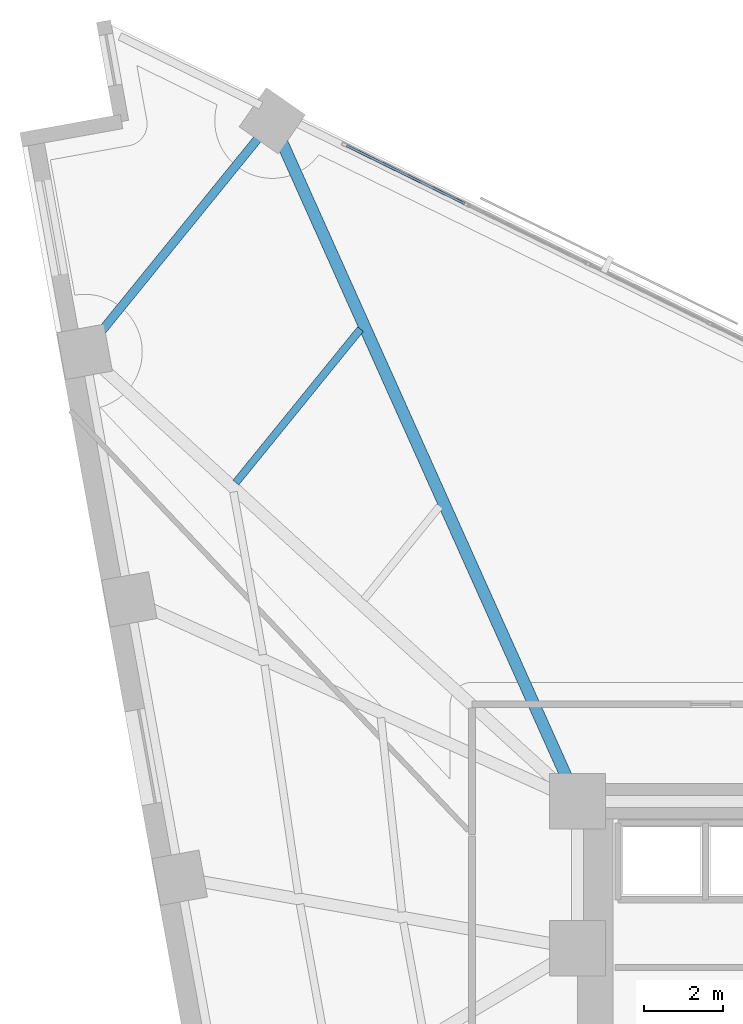
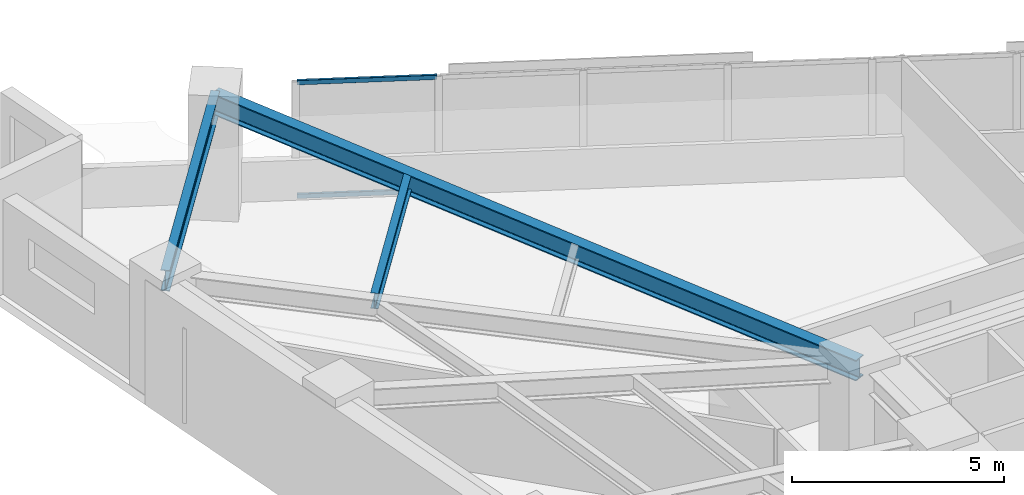
# One storey, part 9 of 19: 3 beams, 2 members, 1 element without a shape of its own.
"""IFC4 building model written with IfcOpenShell, lengths in metres."""

from ifc_helpers import new_model, si_unit, direction, frame, origin, origin_2d, place, context, subcontext, project, spatial, hollow_rectangle, i_section, extrude, material, material_profile, profile_set, type_object, element, aggregate, save


model = new_model("IFC4")

# Units and contexts
model_context = context("Model", 3, precision=1e-05, world=origin(), true_north=direction((0.0, 1.0)))
body_context = subcontext(model_context, "Body", "Model", "MODEL_VIEW")
ifc_project = project(units=[si_unit("LENGTHUNIT", "METRE"), si_unit("AREAUNIT", "SQUARE_METRE"), si_unit("VOLUMEUNIT", "CUBIC_METRE"), si_unit("PLANEANGLEUNIT", "RADIAN"), si_unit("MASSUNIT", "GRAM", prefix="KILO")], contexts=[model_context])

# Site, building, storey
site_placement = place(None, origin())
site = spatial("IfcSite", under=ifc_project, at=site_placement, CompositionType="ELEMENT")
building_placement = place(site_placement, origin())
building = spatial("IfcBuilding", under=site, at=building_placement, Name="Narakoshi Arena Tower", CompositionType="ELEMENT")
storey_placement = place(building_placement, frame((0.0, 0.0, 117.300048828125)))
storey = spatial("IfcBuildingStorey", under=building, at=storey_placement, Name="L31", CompositionType="ELEMENT", Elevation=117.300048828125)

# Beams
ifc_material_1 = material(Name="Structural steel S355J2", Category="steel")
ifc_material_profile_1 = material_profile(ifc_material_1, i_section(OverallWidth=0.219970703125, OverallDepth=0.60009765625, WebThickness=0.011962890625, FlangeThickness=0.01904296875, FilletRadius=0.02392578125, at=origin_2d()), Name="IPE600")
ifc_profile_set_1 = profile_set([ifc_material_profile_1], Name="Structural steel S355J2")
beam_type_1 = type_object("IfcBeamType", Name="BM-EDGE-600", PredefinedType="BEAM", material=ifc_profile_set_1)
beam_1_placement = place(storey_placement, frame((64.31787109375, 73.633056640625, 3.0400390625), z_axis=(-0.630427035182, -0.776248512598, 0.0), x_axis=(0.776248512598, -0.630427035182, 0.0)))
element("IfcBeam", 1, at=beam_1_placement, inside=storey, type_object=beam_type_1, Name="L31 Perimeter Edge Girder 09", PredefinedType="BEAM", context=body_context, shape_type="SweptSolid", body=[
    extrude(i_section(OverallWidth=0.219970703125, OverallDepth=0.60009765625, WebThickness=0.011962890625, FlangeThickness=0.01904296875, FilletRadius=0.02392578125, at=origin_2d()), origin(), (0.0, 0.0, 1.0), 7.493896484375),
])
ifc_material_profile_2 = material_profile(ifc_material_1, i_section(OverallWidth=0.300048828125, OverallDepth=0.60009765625, WebThickness=0.015380859375, FlangeThickness=0.030029296875, FilletRadius=0.027099609375, at=origin_2d()), Name="HE600B")
ifc_profile_set_2 = profile_set([ifc_material_profile_2], Name="Structural steel S355J2")
beam_type_2 = type_object("IfcBeamType", Name="BM-PRI-600", PredefinedType="BEAM", material=ifc_profile_set_2)
beam_2_placement = place(storey_placement, frame((72.0, 56.5, 3.0400390625), z_axis=(-0.409135423529, 0.91247367371, 0.0), x_axis=(-0.91247367371, -0.409135423529, 0.0)))
element("IfcBeam", 2, at=beam_2_placement, inside=storey, type_object=beam_type_2, Name="L31 Radial Primary Floor Girder 09", PredefinedType="BEAM", context=body_context, shape_type="SweptSolid", body=[
    extrude(i_section(OverallWidth=0.300048828125, OverallDepth=0.60009765625, WebThickness=0.015380859375, FlangeThickness=0.030029296875, FilletRadius=0.027099609375, at=origin_2d()), origin(), (0.0, 0.0, 1.0), 18.776611328125),
])
ifc_material_profile_3 = material_profile(ifc_material_1, i_section(OverallWidth=0.18994140625, OverallDepth=0.449951171875, WebThickness=0.009521484375, FlangeThickness=0.0146484375, FilletRadius=0.02099609375, at=origin_2d()), Name="IPE450")
ifc_profile_set_3 = profile_set([ifc_material_profile_3], Name="Structural steel S355J2")
beam_type_3 = type_object("IfcBeamType", Name="BM-SEC-450", PredefinedType="JOIST", material=ifc_profile_set_3)
beam_3_placement = place(storey_placement, frame((66.537353515625, 68.38818359375, 3.114990234375), z_axis=(-0.630422662324, -0.776252063977, 0.0), x_axis=(0.776252063977, -0.630422662324, 0.0)))
element("IfcBeam", 3, at=beam_3_placement, inside=storey, type_object=beam_type_3, Name="L31 Composite Secondary Floor Joist 10", PredefinedType="JOIST", context=body_context, shape_type="SweptSolid", body=[
    extrude(i_section(OverallWidth=0.18994140625, OverallDepth=0.449951171875, WebThickness=0.009521484375, FlangeThickness=0.0146484375, FilletRadius=0.02099609375, at=origin_2d()), origin(), (0.0, 0.0, 1.0), 4.9755859375),
])

# Curtain wall, members
ifc_material_2 = material(Name="Anodised bronze aluminium 6063-T6", Category="aluminium")
curtain_wall_type = type_object("IfcCurtainWallType", Name="CW-HYP-LOW", PredefinedType="NOTDEFINED", material=ifc_material_2)
curtain_wall_placement = place(storey_placement, origin())
curtain_wall = element("IfcCurtainWall", 4, at=curtain_wall_placement, inside=storey, type_object=curtain_wall_type, Name="L31 Folded Hypotenuse Curtain Wall 2-1", PredefinedType="NOTDEFINED")
ifc_material_profile_4 = material_profile(ifc_material_2, hollow_rectangle(XDim=0.06494140625, YDim=0.1298828125, WallThickness=0.00390625, OuterFilletRadius=0.0048828125, at=origin_2d()), Name="TRN130x65x4")
ifc_profile_set_4 = profile_set([ifc_material_profile_4], Name="Anodised bronze aluminium 6063-T6")
member_type = type_object("IfcMemberType", Name="MEM-TRN-130", PredefinedType="USERDEFINED", material=ifc_profile_set_4)
member_1_placement = place(storey_placement, frame((69.1591796875, 71.55029296875, 0.032470703125), z_axis=(-0.898012158644, 0.439970638711, 0.0), x_axis=(-0.439970638711, -0.898012158644, 0.0)))
member_1 = element("IfcMember", 5, at=member_1_placement, type_object=member_type, Name="CW-01 transom 7.1", ObjectType="TRANSOM", PredefinedType="USERDEFINED", context=body_context, shape_type="SweptSolid", body=[
    extrude(hollow_rectangle(XDim=0.06494140625, YDim=0.1298828125, WallThickness=0.00390625, OuterFilletRadius=0.0048828125, at=origin_2d()), origin(), (0.0, 0.0, 1.0), 3.31005859375),
])
member_2_placement = place(storey_placement, frame((69.1591796875, 71.55029296875, 3.307373046875), z_axis=(-0.898012158644, 0.439970638711, 0.0), x_axis=(-0.439970638711, -0.898012158644, 0.0)))
member_2 = element("IfcMember", 6, at=member_2_placement, type_object=member_type, Name="CW-01 transom 7.2", ObjectType="TRANSOM", PredefinedType="USERDEFINED", context=body_context, shape_type="SweptSolid", body=[
    extrude(hollow_rectangle(XDim=0.06494140625, YDim=0.1298828125, WallThickness=0.00390625, OuterFilletRadius=0.0048828125, at=origin_2d()), origin(), (0.0, 0.0, 1.0), 3.31005859375),
])
aggregate(curtain_wall, [member_1, member_2])

save(model, "model.ifc")
